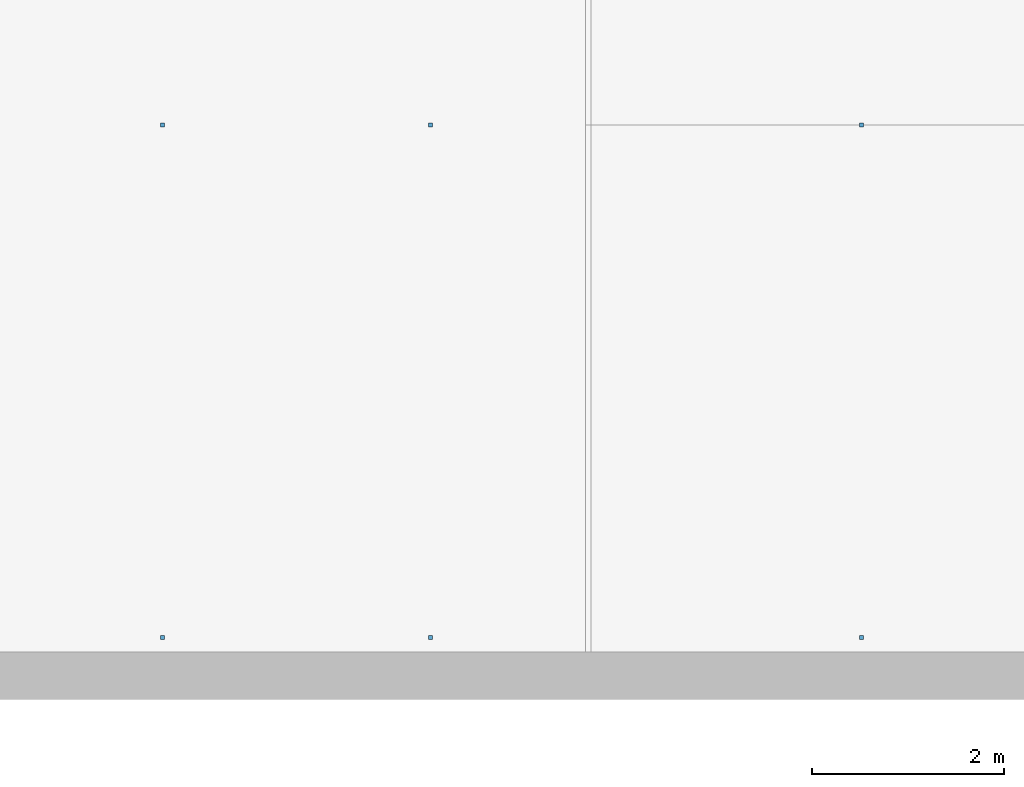
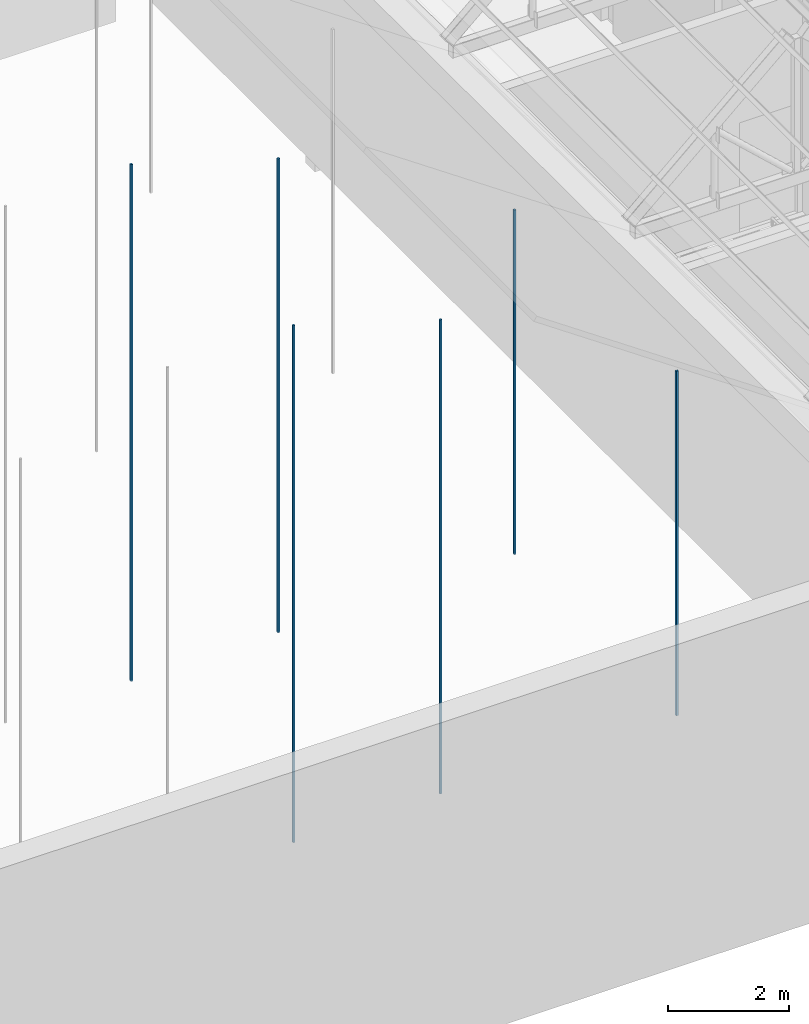
# One storey, part 71 of 118: 6 discrete accessories.
"""IFC4 building model written with IfcOpenShell, lengths in metres."""

from ifc_helpers import new_model, si_unit, direction, frame, origin, origin_2d, place, context, subcontext, project, spatial, rectangle, extrude, element, save


model = new_model("IFC4")

# Units and contexts
model_context = context("Model", 3, precision=1e-05, world=origin(), true_north=direction((0.0, 1.0)))
body_context = subcontext(model_context, "Body", "Model", "MODEL_VIEW")
ifc_project = project(units=[si_unit("LENGTHUNIT", "METRE"), si_unit("AREAUNIT", "SQUARE_METRE"), si_unit("VOLUMEUNIT", "CUBIC_METRE"), si_unit("PLANEANGLEUNIT", "RADIAN"), si_unit("MASSUNIT", "GRAM", prefix="KILO")], contexts=[model_context])

# Site, building, storey
site_placement = place(None, origin())
site = spatial("IfcSite", under=ifc_project, at=site_placement, CompositionType="ELEMENT")
building_placement = place(site_placement, origin())
building = spatial("IfcBuilding", under=site, at=building_placement, Name="Saffron Lane Theatres", CompositionType="ELEMENT")
storey_placement = place(building_placement, frame((0.0, 0.0, 16.5)))
storey = spatial("IfcBuildingStorey", under=building, at=storey_placement, Name="L03", CompositionType="ELEMENT", Elevation=16.5)

# Discrete accessories
discrete_accessory_1_placement = place(storey_placement, frame((34.199951171875, 54.64990234375, 4.56005859375), z_axis=(0.0, 0.0, 1.0), x_axis=(1.0, 0.0, 0.0)))
element("IfcDiscreteAccessory", 1, at=discrete_accessory_1_placement, inside=storey, Name="Ceiling hanger", PredefinedType="BRACKET", context=body_context, shape_type="SweptSolid", body=[
    extrude(rectangle(XDim=0.0400390625, YDim=0.0400390625, at=origin_2d()), origin(), (0.0, 0.0, 1.0), 10.412841796875),
])
discrete_accessory_2_placement = place(storey_placement, frame((37.0, 54.64990234375, 4.56005859375), z_axis=(0.0, 0.0, 1.0), x_axis=(1.0, 0.0, 0.0)))
element("IfcDiscreteAccessory", 2, at=discrete_accessory_2_placement, inside=storey, Name="Ceiling hanger", PredefinedType="BRACKET", context=body_context, shape_type="SweptSolid", body=[
    extrude(rectangle(XDim=0.0400390625, YDim=0.0400390625, at=origin_2d()), origin(), (0.0, 0.0, 1.0), 9.54833984375),
])
discrete_accessory_3_placement = place(storey_placement, frame((41.5, 54.64990234375, 4.56005859375), z_axis=(0.0, 0.0, 1.0), x_axis=(1.0, 0.0, 0.0)))
element("IfcDiscreteAccessory", 3, at=discrete_accessory_3_placement, inside=storey, Name="Ceiling hanger", PredefinedType="BRACKET", context=body_context, shape_type="SweptSolid", body=[
    extrude(rectangle(XDim=0.0400390625, YDim=0.0400390625, at=origin_2d()), origin(), (0.0, 0.0, 1.0), 6.9375),
])
discrete_accessory_4_placement = place(storey_placement, frame((34.199951171875, 60.0, 4.56005859375), z_axis=(0.0, 0.0, 1.0), x_axis=(1.0, 0.0, 0.0)))
element("IfcDiscreteAccessory", 4, at=discrete_accessory_4_placement, inside=storey, Name="Ceiling hanger", PredefinedType="BRACKET", context=body_context, shape_type="SweptSolid", body=[
    extrude(rectangle(XDim=0.0400390625, YDim=0.0400390625, at=origin_2d()), origin(), (0.0, 0.0, 1.0), 10.412841796875),
])
discrete_accessory_5_placement = place(storey_placement, frame((37.0, 60.0, 4.56005859375), z_axis=(0.0, 0.0, 1.0), x_axis=(1.0, 0.0, 0.0)))
element("IfcDiscreteAccessory", 5, at=discrete_accessory_5_placement, inside=storey, Name="Ceiling hanger", PredefinedType="BRACKET", context=body_context, shape_type="SweptSolid", body=[
    extrude(rectangle(XDim=0.0400390625, YDim=0.0400390625, at=origin_2d()), origin(), (0.0, 0.0, 1.0), 9.54833984375),
])
discrete_accessory_6_placement = place(storey_placement, frame((41.5, 60.0, 4.56005859375), z_axis=(0.0, 0.0, 1.0), x_axis=(1.0, 0.0, 0.0)))
element("IfcDiscreteAccessory", 6, at=discrete_accessory_6_placement, inside=storey, Name="Ceiling hanger", PredefinedType="BRACKET", context=body_context, shape_type="SweptSolid", body=[
    extrude(rectangle(XDim=0.0400390625, YDim=0.0400390625, at=origin_2d()), origin(), (0.0, 0.0, 1.0), 6.9375),
])

save(model, "model.ifc")
